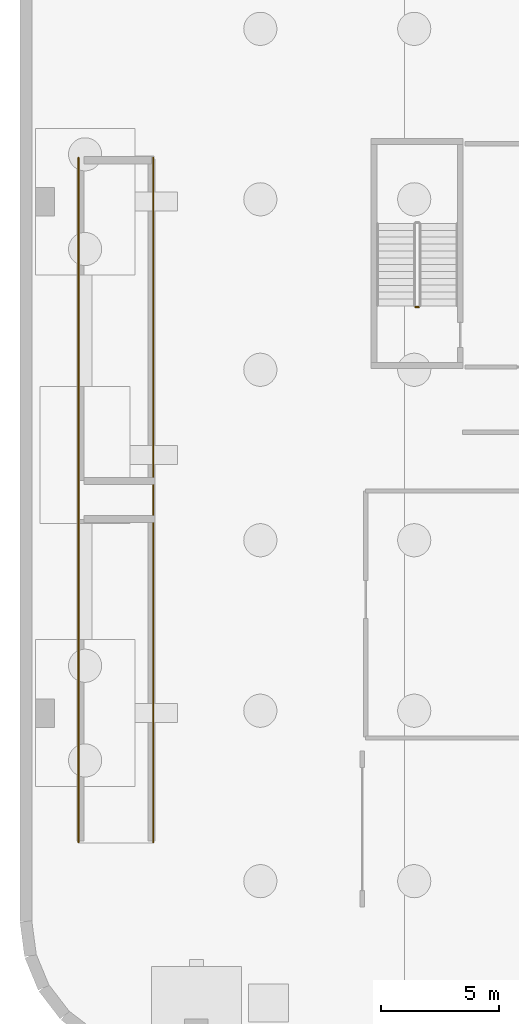
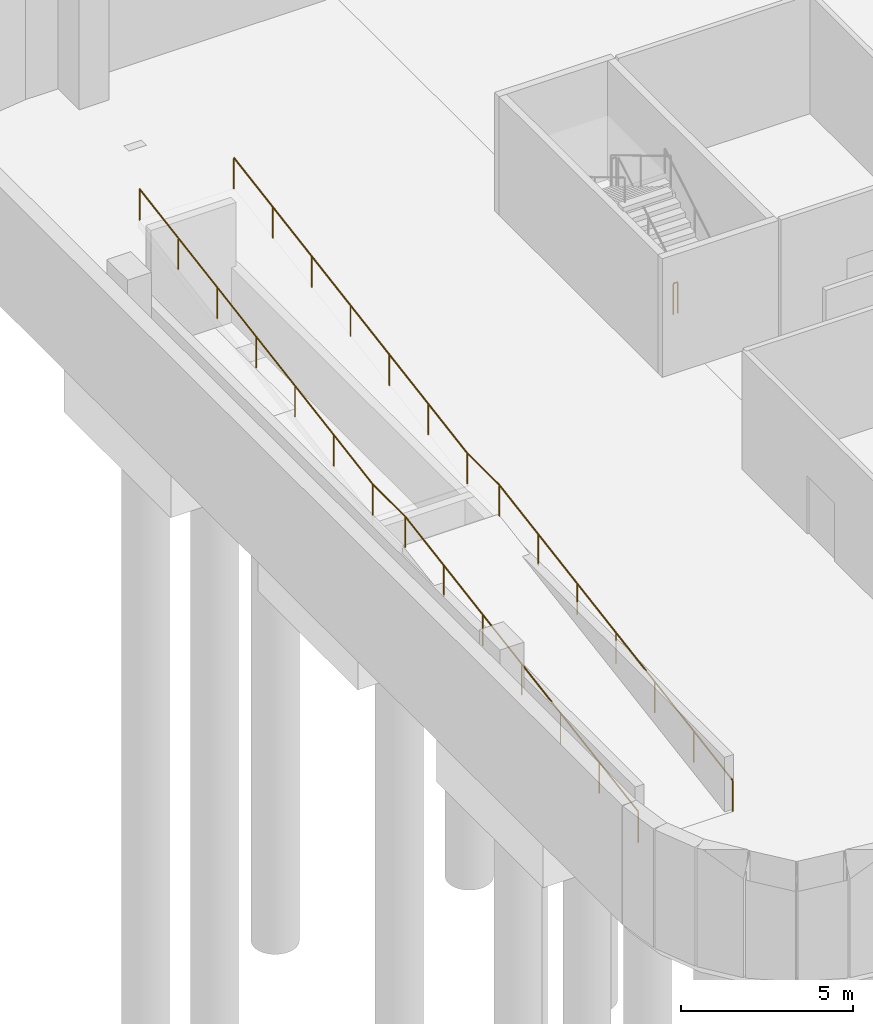
# One storey, part 6 of 8: 3 railings.
"""IFC4 building model written with IfcOpenShell, lengths in metres."""

from ifc_helpers import new_model, si_unit, direction, frame, origin, origin_2d, place, context, subcontext, project, spatial, circle, extrude, material, type_object, element, save


model = new_model("IFC4")

# Units and contexts
model_context = context("Model", 3, precision=1e-05, world=origin(), true_north=direction((0.0, 1.0)))
body_context = subcontext(model_context, "Body", "Model", "MODEL_VIEW")
ifc_project = project(units=[si_unit("LENGTHUNIT", "METRE"), si_unit("AREAUNIT", "SQUARE_METRE"), si_unit("VOLUMEUNIT", "CUBIC_METRE"), si_unit("PLANEANGLEUNIT", "RADIAN"), si_unit("MASSUNIT", "GRAM", prefix="KILO")], contexts=[model_context])

# Site, building, storey
site_placement = place(None, origin())
site = spatial("IfcSite", under=ifc_project, at=site_placement, CompositionType="ELEMENT")
building_placement = place(site_placement, origin())
building = spatial("IfcBuilding", under=site, at=building_placement, Name="Varnelok Gate Tower", CompositionType="ELEMENT")
storey_placement = place(building_placement, frame((0.0, 0.0, -9.0)))
storey = spatial("IfcBuildingStorey", under=building, at=storey_placement, Name="B02", CompositionType="ELEMENT", Elevation=-9.0)

# Railings
ifc_material = material(Name="Galvanized Steel Grade S350GD", Category="steel")
railing_type = type_object("IfcRailingType", Name="RL-STAIR-GUARD1120", PredefinedType="GUARDRAIL", material=ifc_material)
railing_1_placement = place(storey_placement, frame((16.60009765625, 31.550048828125, 0.0)))
element("IfcRailing", 1, at=railing_1_placement, inside=storey, type_object=railing_type, Name="B02 ST-3 stair guard 4", PredefinedType="GUARDRAIL", context=body_context, shape_type="SweptSolid", body=[
    extrude(circle(Radius=0.02392578125, at=origin_2d()), frame((0.0, 0.0, 1.09619140625), z_axis=(-1.0, 0.0, 0.0), x_axis=(0.0, -1.0, 0.0)), (0.0, 0.0, 1.0), 0.150146484375),
    extrude(circle(Radius=0.02099609375, at=origin_2d()), origin(), (0.0, 0.0, 1.0), 1.072021484375),
    extrude(circle(Radius=0.02099609375, at=origin_2d()), frame((-0.150146484375, 0.0, 0.0)), (0.0, 0.0, 1.0), 1.072021484375),
])
railing_2_placement = place(storey_placement, frame((2.219970703125, 8.93994140625, 0.0)))
element("IfcRailing", 2, at=railing_2_placement, inside=storey, type_object=railing_type, Name="B02 Vehicle Ramp VR-1 Rising Guardrail W", PredefinedType="GUARDRAIL", context=body_context, shape_type="SweptSolid", body=[
    extrude(circle(Radius=0.02392578125, at=origin_2d()), frame((0.0, 0.0, 1.09619140625), z_axis=(0.0, 0.986433372255, 0.164162121397), x_axis=(-1.0, 0.0, 0.0)), (0.0, 0.0, 1.0), 13.7060546875),
    extrude(circle(Radius=0.02392578125, at=origin_2d()), frame((0.0, 13.52001953125, 3.34619140625), z_axis=(0.0, 1.0, 0.0), x_axis=(-1.0, 0.0, 0.0)), (0.0, 0.0, 1.0), 1.880126953125),
    extrude(circle(Radius=0.02392578125, at=origin_2d()), frame((0.0, 15.400146484375, 3.34619140625), z_axis=(0.0, 0.986433372255, 0.164162121397), x_axis=(-1.0, 0.0, 0.0)), (0.0, 0.0, 1.0), 13.7060546875),
    extrude(circle(Radius=0.02099609375, at=origin_2d()), origin(), (0.0, 0.0, 1.0), 1.072021484375),
    extrude(circle(Radius=0.02099609375, at=origin_2d()), frame((0.0, 2.25341796875, 0.375)), (0.0, 0.0, 1.0), 1.072021484375),
    extrude(circle(Radius=0.02099609375, at=origin_2d()), frame((0.0, 4.506591796875, 0.75)), (0.0, 0.0, 1.0), 1.072021484375),
    extrude(circle(Radius=0.02099609375, at=origin_2d()), frame((0.0, 6.760009765625, 1.125)), (0.0, 0.0, 1.0), 1.072021484375),
    extrude(circle(Radius=0.02099609375, at=origin_2d()), frame((0.0, 9.013427734375, 1.5)), (0.0, 0.0, 1.0), 1.072021484375),
    extrude(circle(Radius=0.02099609375, at=origin_2d()), frame((0.0, 11.2666015625, 1.875)), (0.0, 0.0, 1.0), 1.072021484375),
    extrude(circle(Radius=0.02099609375, at=origin_2d()), frame((0.0, 13.52001953125, 2.25)), (0.0, 0.0, 1.0), 1.072021484375),
    extrude(circle(Radius=0.02099609375, at=origin_2d()), frame((0.0, 15.400146484375, 2.25)), (0.0, 0.0, 1.0), 1.072021484375),
    extrude(circle(Radius=0.02099609375, at=origin_2d()), frame((0.0, 17.653564453125, 2.625)), (0.0, 0.0, 1.0), 1.072021484375),
    extrude(circle(Radius=0.02099609375, at=origin_2d()), frame((0.0, 19.90673828125, 3.0)), (0.0, 0.0, 1.0), 1.072021484375),
    extrude(circle(Radius=0.02099609375, at=origin_2d()), frame((0.0, 22.16015625, 3.375)), (0.0, 0.0, 1.0), 1.072021484375),
    extrude(circle(Radius=0.02099609375, at=origin_2d()), frame((0.0, 24.41357421875, 3.75)), (0.0, 0.0, 1.0), 1.072021484375),
    extrude(circle(Radius=0.02099609375, at=origin_2d()), frame((0.0, 26.666748046875, 4.125)), (0.0, 0.0, 1.0), 1.072021484375),
    extrude(circle(Radius=0.02099609375, at=origin_2d()), frame((0.0, 28.920166015625, 4.5)), (0.0, 0.0, 1.0), 1.072021484375),
])
railing_3_placement = place(storey_placement, frame((5.3798828125, 8.93994140625, 0.0)))
element("IfcRailing", 3, at=railing_3_placement, inside=storey, type_object=railing_type, Name="B02 Vehicle Ramp VR-1 Rising Guardrail E", PredefinedType="GUARDRAIL", context=body_context, shape_type="SweptSolid", body=[
    extrude(circle(Radius=0.02392578125, at=origin_2d()), frame((0.0, 0.0, 1.09619140625), z_axis=(0.0, 0.986433372255, 0.164162121397), x_axis=(-1.0, 0.0, 0.0)), (0.0, 0.0, 1.0), 13.7060546875),
    extrude(circle(Radius=0.02392578125, at=origin_2d()), frame((0.0, 13.52001953125, 3.34619140625), z_axis=(0.0, 1.0, 0.0), x_axis=(-1.0, 0.0, 0.0)), (0.0, 0.0, 1.0), 1.880126953125),
    extrude(circle(Radius=0.02392578125, at=origin_2d()), frame((0.0, 15.400146484375, 3.34619140625), z_axis=(0.0, 0.986433372255, 0.164162121397), x_axis=(-1.0, 0.0, 0.0)), (0.0, 0.0, 1.0), 13.7060546875),
    extrude(circle(Radius=0.02099609375, at=origin_2d()), origin(), (0.0, 0.0, 1.0), 1.072021484375),
    extrude(circle(Radius=0.02099609375, at=origin_2d()), frame((0.0, 2.25341796875, 0.375)), (0.0, 0.0, 1.0), 1.072021484375),
    extrude(circle(Radius=0.02099609375, at=origin_2d()), frame((0.0, 4.506591796875, 0.75)), (0.0, 0.0, 1.0), 1.072021484375),
    extrude(circle(Radius=0.02099609375, at=origin_2d()), frame((0.0, 6.760009765625, 1.125)), (0.0, 0.0, 1.0), 1.072021484375),
    extrude(circle(Radius=0.02099609375, at=origin_2d()), frame((0.0, 9.013427734375, 1.5)), (0.0, 0.0, 1.0), 1.072021484375),
    extrude(circle(Radius=0.02099609375, at=origin_2d()), frame((0.0, 11.2666015625, 1.875)), (0.0, 0.0, 1.0), 1.072021484375),
    extrude(circle(Radius=0.02099609375, at=origin_2d()), frame((0.0, 13.52001953125, 2.25)), (0.0, 0.0, 1.0), 1.072021484375),
    extrude(circle(Radius=0.02099609375, at=origin_2d()), frame((0.0, 15.400146484375, 2.25)), (0.0, 0.0, 1.0), 1.072021484375),
    extrude(circle(Radius=0.02099609375, at=origin_2d()), frame((0.0, 17.653564453125, 2.625)), (0.0, 0.0, 1.0), 1.072021484375),
    extrude(circle(Radius=0.02099609375, at=origin_2d()), frame((0.0, 19.90673828125, 3.0)), (0.0, 0.0, 1.0), 1.072021484375),
    extrude(circle(Radius=0.02099609375, at=origin_2d()), frame((0.0, 22.16015625, 3.375)), (0.0, 0.0, 1.0), 1.072021484375),
    extrude(circle(Radius=0.02099609375, at=origin_2d()), frame((0.0, 24.41357421875, 3.75)), (0.0, 0.0, 1.0), 1.072021484375),
    extrude(circle(Radius=0.02099609375, at=origin_2d()), frame((0.0, 26.666748046875, 4.125)), (0.0, 0.0, 1.0), 1.072021484375),
    extrude(circle(Radius=0.02099609375, at=origin_2d()), frame((0.0, 28.920166015625, 4.5)), (0.0, 0.0, 1.0), 1.072021484375),
])

save(model, "model.ifc")
